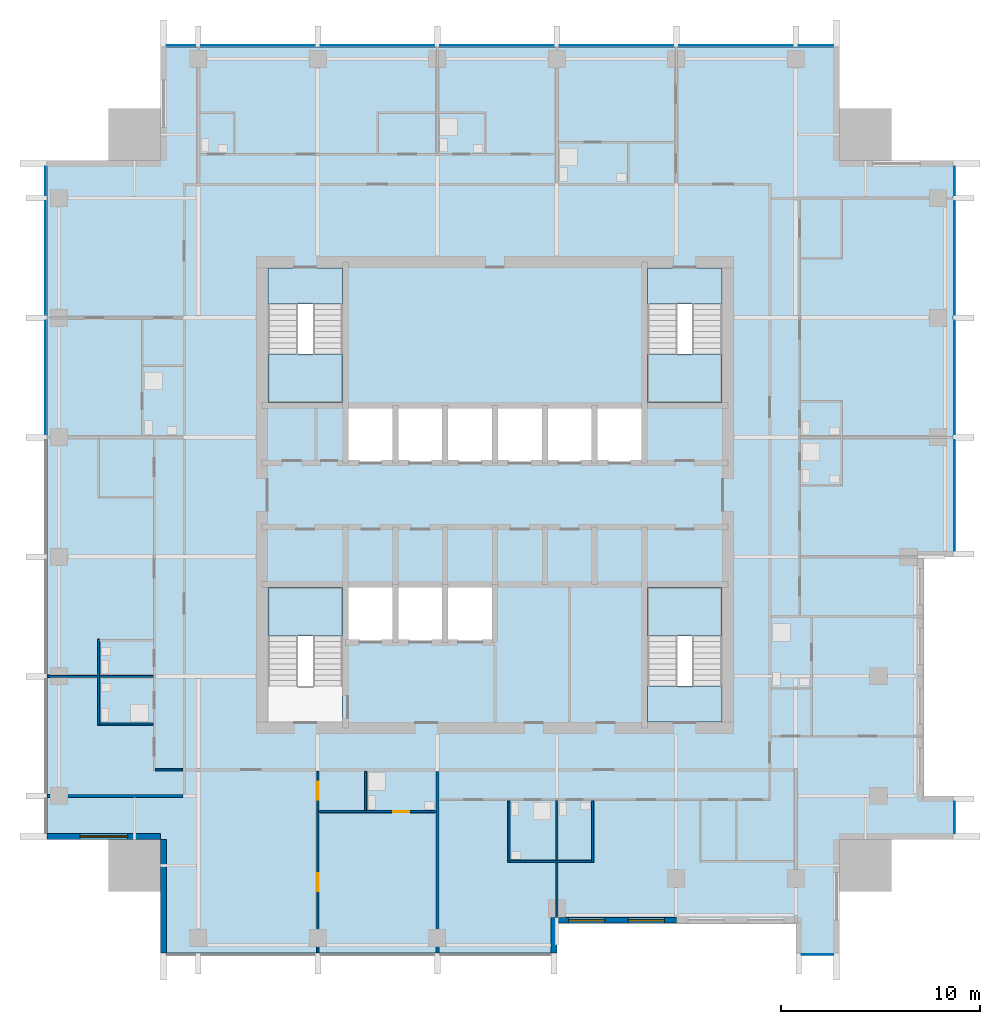
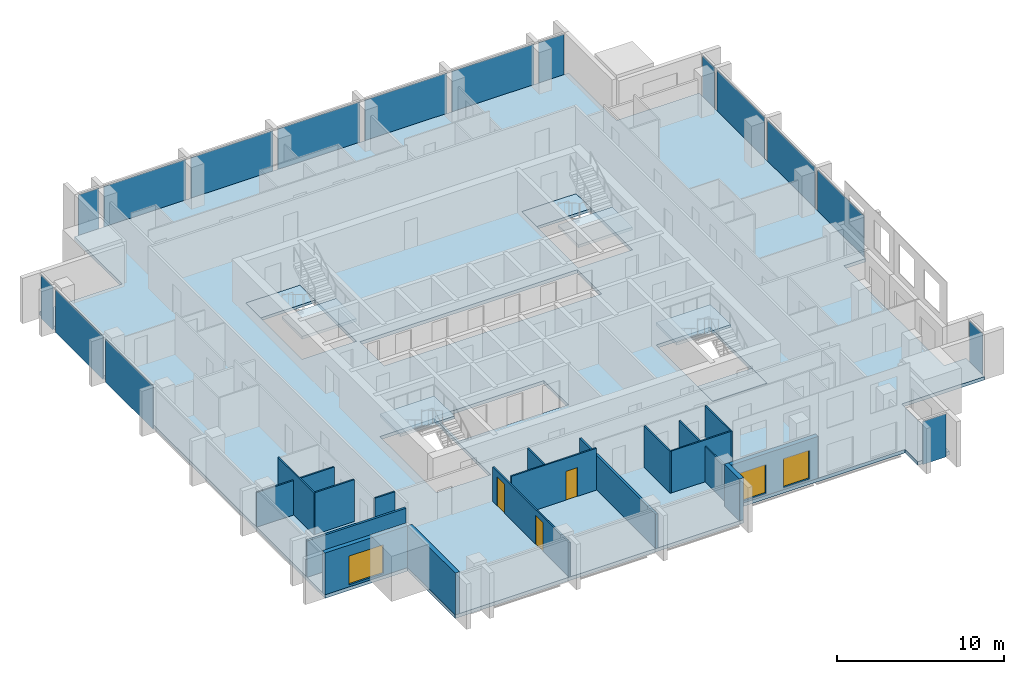
# One storey, part 3 of 11: 17 walls, 16 plates, 8 slabs, 3 doors, 3 windows, 6 openings, 9 elements without a shape of their own.
"""IFC4 building model written with IfcOpenShell, lengths in metres."""

from ifc_helpers import new_model, si_unit, direction, frame, frame_2d, origin, origin_2d, place, context, subcontext, project, spatial, polyline, rectangle, outline, extrude, material, layer, layer_set, type_object, element, fill, aggregate, save


model = new_model("IFC4")

# Units and contexts
model_context = context("Model", 3, precision=1e-05, world=origin(), true_north=direction((0.0, 1.0)))
body_context = subcontext(model_context, "Body", "Model", "MODEL_VIEW")
ifc_project = project(units=[si_unit("LENGTHUNIT", "METRE"), si_unit("AREAUNIT", "SQUARE_METRE"), si_unit("VOLUMEUNIT", "CUBIC_METRE"), si_unit("PLANEANGLEUNIT", "RADIAN"), si_unit("MASSUNIT", "GRAM", prefix="KILO")], contexts=[model_context])

# Site, building, storey
site_placement = place(None, origin())
site = spatial("IfcSite", under=ifc_project, at=site_placement, CompositionType="ELEMENT")
building_placement = place(site_placement, origin())
building = spatial("IfcBuilding", under=site, at=building_placement, Name="Amberfall Residences", CompositionType="ELEMENT")
storey_placement = place(building_placement, frame((0.0, 0.0, 223.300048828125)))
storey = spatial("IfcBuildingStorey", under=building, at=storey_placement, Name="L60", CompositionType="ELEMENT", Elevation=223.300048828125)

# Curtain wall, plate
ifc_material_1 = material(Name="Bronze anodised aluminium and glass", Category="aluminium")
curtain_wall_type = type_object("IfcCurtainWallType", Name="Curtain wall CW1 tower unit", PredefinedType="USERDEFINED", material=ifc_material_1)
curtain_wall_1_placement = place(storey_placement, origin())
curtain_wall_1 = element("IfcCurtainWall", 1, at=curtain_wall_1_placement, inside=storey, type_object=curtain_wall_type, Name="Curtain wall L60 S S6", ObjectType="UNITISED CURTAIN WALL", PredefinedType="USERDEFINED")
ifc_material_2 = material(Name="Tinted double glazed unit", Category="glass")
ifc_layer_1 = layer(ifc_material_2, 0.035888671875)
ifc_layer_set_1 = layer_set([ifc_layer_1], Name="CW1 panel 36 glazing")
plate_type = type_object("IfcPlateType", Name="CW1 panel 36 glazing", PredefinedType="CURTAIN_PANEL", material=ifc_layer_set_1)
plate_1_placement = place(storey_placement, frame((90.699951171875, 22.425048828125, -0.25), z_axis=(0.0, 0.0, 1.0), x_axis=(1.0, 0.0, 0.0)))
plate_1 = element("IfcPlate", 2, at=plate_1_placement, type_object=plate_type, Name="CW1 panel 1.1", PredefinedType="CURTAIN_PANEL", context=body_context, shape_type="SweptSolid", body=[
    extrude(rectangle(XDim=1.575927734375, YDim=0.035888671875, at=origin_2d()), origin(), (0.0, 0.0, 1.0), 3.14990234375),
])
aggregate(curtain_wall_1, [plate_1])

curtain_wall_2_placement = place(storey_placement, origin())
curtain_wall_2 = element("IfcCurtainWall", 3, at=curtain_wall_2_placement, inside=storey, type_object=curtain_wall_type, Name="Curtain wall L60 E E1", ObjectType="UNITISED CURTAIN WALL", PredefinedType="USERDEFINED")
plate_2_placement = place(storey_placement, frame((97.574951171875, 29.300048828125, -0.25), z_axis=(0.0, 0.0, 1.0), x_axis=(0.0, 1.0, 0.0)))
plate_2 = element("IfcPlate", 4, at=plate_2_placement, type_object=plate_type, Name="CW1 panel 1.1", PredefinedType="CURTAIN_PANEL", context=body_context, shape_type="SweptSolid", body=[
    extrude(rectangle(XDim=1.575927734375, YDim=0.035888671875, at=origin_2d()), origin(), (0.0, 0.0, 1.0), 3.14990234375),
])
aggregate(curtain_wall_2, [plate_2])

# Curtain wall, plates
curtain_wall_3_placement = place(storey_placement, origin())
curtain_wall_3 = element("IfcCurtainWall", 5, at=curtain_wall_3_placement, inside=storey, type_object=curtain_wall_type, Name="Curtain wall L60 E E6", ObjectType="UNITISED CURTAIN WALL", PredefinedType="USERDEFINED")
plate_3_placement = place(storey_placement, frame((97.574951171875, 45.47509765625, -0.25), z_axis=(0.0, 0.0, 1.0), x_axis=(0.0, 1.0, 0.0)))
plate_3 = element("IfcPlate", 6, at=plate_3_placement, type_object=plate_type, Name="CW1 panel 1.1", PredefinedType="CURTAIN_PANEL", context=body_context, shape_type="SweptSolid", body=[
    extrude(rectangle(XDim=5.52587890625, YDim=0.035888671875, at=origin_2d()), origin(), (0.0, 0.0, 1.0), 3.14990234375),
])
plate_4_placement = place(storey_placement, frame((97.574951171875, 51.39990234375, -0.25), z_axis=(0.0, 0.0, 1.0), x_axis=(0.0, 1.0, 0.0)))
plate_4 = element("IfcPlate", 7, at=plate_4_placement, type_object=plate_type, Name="CW1 panel 2.1", PredefinedType="CURTAIN_PANEL", context=body_context, shape_type="SweptSolid", body=[
    extrude(rectangle(XDim=5.676025390625, YDim=0.035888671875, at=origin_2d()), origin(), (0.0, 0.0, 1.0), 3.14990234375),
])
plate_5_placement = place(storey_placement, frame((97.574951171875, 57.39990234375, -0.25), z_axis=(0.0, 0.0, 1.0), x_axis=(0.0, 1.0, 0.0)))
plate_5 = element("IfcPlate", 8, at=plate_5_placement, type_object=plate_type, Name="CW1 panel 3.1", PredefinedType="CURTAIN_PANEL", context=body_context, shape_type="SweptSolid", body=[
    extrude(rectangle(XDim=5.676025390625, YDim=0.035888671875, at=origin_2d()), origin(), (0.0, 0.0, 1.0), 3.14990234375),
])
plate_6_placement = place(storey_placement, frame((97.574951171875, 61.27490234375, -0.25), z_axis=(0.0, 0.0, 1.0), x_axis=(0.0, 1.0, 0.0)))
plate_6 = element("IfcPlate", 9, at=plate_6_placement, type_object=plate_type, Name="CW1 panel 4.1", PredefinedType="CURTAIN_PANEL", context=body_context, shape_type="SweptSolid", body=[
    extrude(rectangle(XDim=1.426025390625, YDim=0.035888671875, at=origin_2d()), origin(), (0.0, 0.0, 1.0), 3.14990234375),
])
aggregate(curtain_wall_3, [plate_3, plate_4, plate_5, plate_6])

curtain_wall_4_placement = place(storey_placement, origin())
curtain_wall_4 = element("IfcCurtainWall", 10, at=curtain_wall_4_placement, inside=storey, type_object=curtain_wall_type, Name="Curtain wall L60 N N1", ObjectType="UNITISED CURTAIN WALL", PredefinedType="USERDEFINED")
plate_7_placement = place(storey_placement, frame((90.625, 68.074951171875, -0.25), z_axis=(0.0, 0.0, 1.0), x_axis=(-1.0, 0.0, 0.0)))
plate_7 = element("IfcPlate", 11, at=plate_7_placement, type_object=plate_type, Name="CW1 panel 1.1", PredefinedType="CURTAIN_PANEL", context=body_context, shape_type="SweptSolid", body=[
    extrude(rectangle(XDim=1.72607421875, YDim=0.035888671875, at=origin_2d()), origin(), (0.0, 0.0, 1.0), 3.14990234375),
])
plate_8_placement = place(storey_placement, frame((86.60009765625, 68.074951171875, -0.25), z_axis=(0.0, 0.0, 1.0), x_axis=(-1.0, 0.0, 0.0)))
plate_8 = element("IfcPlate", 12, at=plate_8_placement, type_object=plate_type, Name="CW1 panel 2.1", PredefinedType="CURTAIN_PANEL", context=body_context, shape_type="SweptSolid", body=[
    extrude(rectangle(XDim=5.676025390625, YDim=0.035888671875, at=origin_2d()), origin(), (0.0, 0.0, 1.0), 3.14990234375),
])
plate_9_placement = place(storey_placement, frame((80.60009765625, 68.074951171875, -0.25), z_axis=(0.0, 0.0, 1.0), x_axis=(-1.0, 0.0, 0.0)))
plate_9 = element("IfcPlate", 13, at=plate_9_placement, type_object=plate_type, Name="CW1 panel 3.1", PredefinedType="CURTAIN_PANEL", context=body_context, shape_type="SweptSolid", body=[
    extrude(rectangle(XDim=5.676025390625, YDim=0.035888671875, at=origin_2d()), origin(), (0.0, 0.0, 1.0), 3.14990234375),
])
plate_10_placement = place(storey_placement, frame((74.60009765625, 68.074951171875, -0.25), z_axis=(0.0, 0.0, 1.0), x_axis=(-1.0, 0.0, 0.0)))
plate_10 = element("IfcPlate", 14, at=plate_10_placement, type_object=plate_type, Name="CW1 panel 4.1", PredefinedType="CURTAIN_PANEL", context=body_context, shape_type="SweptSolid", body=[
    extrude(rectangle(XDim=5.676025390625, YDim=0.035888671875, at=origin_2d()), origin(), (0.0, 0.0, 1.0), 3.14990234375),
])
plate_11_placement = place(storey_placement, frame((68.60009765625, 68.074951171875, -0.25), z_axis=(0.0, 0.0, 1.0), x_axis=(-1.0, 0.0, 0.0)))
plate_11 = element("IfcPlate", 15, at=plate_11_placement, type_object=plate_type, Name="CW1 panel 5.1", PredefinedType="CURTAIN_PANEL", context=body_context, shape_type="SweptSolid", body=[
    extrude(rectangle(XDim=5.676025390625, YDim=0.035888671875, at=origin_2d()), origin(), (0.0, 0.0, 1.0), 3.14990234375),
])
plate_12_placement = place(storey_placement, frame((62.60009765625, 68.074951171875, -0.25), z_axis=(0.0, 0.0, 1.0), x_axis=(-1.0, 0.0, 0.0)))
plate_12 = element("IfcPlate", 16, at=plate_12_placement, type_object=plate_type, Name="CW1 panel 6.1", PredefinedType="CURTAIN_PANEL", context=body_context, shape_type="SweptSolid", body=[
    extrude(rectangle(XDim=5.676025390625, YDim=0.035888671875, at=origin_2d()), origin(), (0.0, 0.0, 1.0), 3.14990234375),
])
plate_13_placement = place(storey_placement, frame((58.72509765625, 68.074951171875, -0.25), z_axis=(0.0, 0.0, 1.0), x_axis=(-1.0, 0.0, 0.0)))
plate_13 = element("IfcPlate", 17, at=plate_13_placement, type_object=plate_type, Name="CW1 panel 7.1", PredefinedType="CURTAIN_PANEL", context=body_context, shape_type="SweptSolid", body=[
    extrude(rectangle(XDim=1.426025390625, YDim=0.035888671875, at=origin_2d()), origin(), (0.0, 0.0, 1.0), 3.14990234375),
])
aggregate(curtain_wall_4, [plate_7, plate_8, plate_9, plate_10, plate_11, plate_12, plate_13])

curtain_wall_5_placement = place(storey_placement, origin())
curtain_wall_5 = element("IfcCurtainWall", 18, at=curtain_wall_5_placement, inside=storey, type_object=curtain_wall_type, Name="Curtain wall L60 W W1", ObjectType="UNITISED CURTAIN WALL", PredefinedType="USERDEFINED")
plate_14_placement = place(storey_placement, frame((51.925048828125, 61.27490234375, -0.25), z_axis=(0.0, 0.0, 1.0), x_axis=(0.0, -1.0, 0.0)))
plate_14 = element("IfcPlate", 19, at=plate_14_placement, type_object=plate_type, Name="CW1 panel 1.1", PredefinedType="CURTAIN_PANEL", context=body_context, shape_type="SweptSolid", body=[
    extrude(rectangle(XDim=1.426025390625, YDim=0.035888671875, at=origin_2d()), origin(), (0.0, 0.0, 1.0), 3.14990234375),
])
plate_15_placement = place(storey_placement, frame((51.925048828125, 57.39990234375, -0.25), z_axis=(0.0, 0.0, 1.0), x_axis=(0.0, -1.0, 0.0)))
plate_15 = element("IfcPlate", 20, at=plate_15_placement, type_object=plate_type, Name="CW1 panel 2.1", PredefinedType="CURTAIN_PANEL", context=body_context, shape_type="SweptSolid", body=[
    extrude(rectangle(XDim=5.676025390625, YDim=0.035888671875, at=origin_2d()), origin(), (0.0, 0.0, 1.0), 3.14990234375),
])
plate_16_placement = place(storey_placement, frame((51.925048828125, 51.39990234375, -0.25), z_axis=(0.0, 0.0, 1.0), x_axis=(0.0, -1.0, 0.0)))
plate_16 = element("IfcPlate", 21, at=plate_16_placement, type_object=plate_type, Name="CW1 panel 3.1", PredefinedType="CURTAIN_PANEL", context=body_context, shape_type="SweptSolid", body=[
    extrude(rectangle(XDim=5.676025390625, YDim=0.035888671875, at=origin_2d()), origin(), (0.0, 0.0, 1.0), 3.14990234375),
])
aggregate(curtain_wall_5, [plate_14, plate_15, plate_16])

# Slab
ifc_material_3 = material(Name="Concrete C55", Category="concrete")
ifc_layer_2 = layer(ifc_material_3, 0.25)
ifc_layer_set_2 = layer_set([ifc_layer_2], Name="Floor slab 250 C55")
slab_type_1 = type_object("IfcSlabType", Name="Floor slab 250 C55", PredefinedType="FLOOR", material=ifc_layer_set_2)
slab_1_placement = place(storey_placement, frame((0.0, 0.0, -0.25)))
element("IfcSlab", 22, at=slab_1_placement, inside=storey, type_object=slab_type_1, Name="Floor slab S16 L60", PredefinedType="FLOOR", context=body_context, shape_type="SweptSolid", body=[
    extrude(outline(polyline([(89.60009765625, 22.5), (89.60009765625, 24.0), (83.60009765625, 24.0), (77.60009765625, 24.0), (77.60009765625, 22.5), (57.699951171875, 22.5), (57.699951171875, 28.199951171875), (52.0, 28.199951171875), (52.0, 62.300048828125), (57.699951171875, 62.300048828125), (57.699951171875, 68.0), (91.800048828125, 68.0), (91.800048828125, 62.300048828125), (97.5, 62.300048828125), (97.5, 42.39990234375), (96.0, 42.39990234375), (96.0, 36.39990234375), (96.0, 30.39990234375), (97.5, 30.39990234375), (97.5, 28.199951171875), (91.800048828125, 28.199951171875), (91.800048828125, 22.5), (89.60009765625, 22.5)]), holes=[polyline([(85.89990234375, 34.10009765625), (85.89990234375, 40.85009765625), (82.14990234375, 40.85009765625), (82.14990234375, 34.10009765625), (85.89990234375, 34.10009765625)]), polyline([(85.89990234375, 50.14990234375), (85.89990234375, 56.89990234375), (82.14990234375, 56.89990234375), (82.14990234375, 50.14990234375), (85.89990234375, 50.14990234375)]), polyline([(67.0, 50.0), (67.0, 47.10009765625), (69.5, 47.10009765625), (72.0, 47.10009765625), (74.5, 47.10009765625), (77.0, 47.10009765625), (79.5, 47.10009765625), (82.0, 47.10009765625), (82.0, 50.0), (79.5, 50.0), (77.0, 50.0), (74.5, 50.0), (72.0, 50.0), (69.5, 50.0), (67.0, 50.0)]), polyline([(69.5, 41.0), (67.0, 41.0), (67.0, 38.10009765625), (69.5, 38.10009765625), (72.0, 38.10009765625), (74.5, 38.10009765625), (74.5, 41.0), (72.0, 41.0), (69.5, 41.0)]), polyline([(66.85009765625, 40.85009765625), (63.10009765625, 40.85009765625), (63.10009765625, 34.10009765625), (66.85009765625, 34.10009765625), (66.85009765625, 40.85009765625)]), polyline([(66.85009765625, 56.89990234375), (63.10009765625, 56.89990234375), (63.10009765625, 50.14990234375), (66.85009765625, 50.14990234375), (66.85009765625, 56.89990234375)])]), origin(), (0.0, 0.0, 1.0), 0.25),
])

# Stair, slab
ifc_material_4 = material(Name="Concrete C40", Category="concrete")
stair_type = type_object("IfcStairType", Name="Exit stair 20 risers 165.0 mm", PredefinedType="HALF_TURN_STAIR", material=ifc_material_4)
stair_1_placement = place(storey_placement, origin())
stair_1 = element("IfcStair", 23, at=stair_1_placement, inside=storey, type_object=stair_type, Name="L60 Exit stair 1", PredefinedType="HALF_TURN_STAIR")
ifc_layer_3 = layer(ifc_material_4, 0.199951171875)
ifc_layer_set_3 = layer_set([ifc_layer_3], Name="Stair landing 200")
slab_type_2 = type_object("IfcSlabType", Name="Stair landing 200", PredefinedType="LANDING", material=ifc_layer_set_3)
slab_2_placement = place(storey_placement, frame((0.0, 0.0, 1.449951171875)))
slab_2 = element("IfcSlab", 24, at=slab_2_placement, type_object=slab_type_2, Name="ST3 landing 1", PredefinedType="LANDING", context=body_context, shape_type="SweptSolid", body=[
    extrude(outline(polyline([(66.85009765625, 38.419921875), (66.85009765625, 40.85009765625), (63.10009765625, 40.85009765625), (63.10009765625, 38.419921875), (66.85009765625, 38.419921875)])), origin(), (0.0, 0.0, 1.0), 0.199951171875),
])
aggregate(stair_1, [slab_2])

# Stair, slabs
stair_2_placement = place(storey_placement, origin())
stair_2 = element("IfcStair", 25, at=stair_2_placement, inside=storey, type_object=stair_type, Name="L60 Exit stair 2", PredefinedType="HALF_TURN_STAIR")
slab_3_placement = place(storey_placement, frame((0.0, 0.0, 1.449951171875)))
slab_3 = element("IfcSlab", 26, at=slab_3_placement, type_object=slab_type_2, Name="ST3 landing 1", PredefinedType="LANDING", context=body_context, shape_type="SweptSolid", body=[
    extrude(outline(polyline([(85.89990234375, 38.419921875), (85.89990234375, 40.85009765625), (82.14990234375, 40.85009765625), (82.14990234375, 38.419921875), (85.89990234375, 38.419921875)])), origin(), (0.0, 0.0, 1.0), 0.199951171875),
])
slab_4_placement = place(storey_placement, frame((0.0, 0.0, -0.199951171875)))
slab_4 = element("IfcSlab", 27, at=slab_4_placement, type_object=slab_type_2, Name="ST3 landing 2", PredefinedType="LANDING", context=body_context, shape_type="SweptSolid", body=[
    extrude(outline(polyline([(85.89990234375, 34.10009765625), (85.89990234375, 35.89990234375), (82.14990234375, 35.89990234375), (82.14990234375, 34.10009765625), (85.89990234375, 34.10009765625)])), origin(), (0.0, 0.0, 1.0), 0.199951171875),
])
aggregate(stair_2, [slab_3, slab_4])

stair_3_placement = place(storey_placement, origin())
stair_3 = element("IfcStair", 28, at=stair_3_placement, inside=storey, type_object=stair_type, Name="L60 Exit stair 3", PredefinedType="HALF_TURN_STAIR")
slab_5_placement = place(storey_placement, frame((0.0, 0.0, 1.449951171875)))
slab_5 = element("IfcSlab", 29, at=slab_5_placement, type_object=slab_type_2, Name="ST3 landing 1", PredefinedType="LANDING", context=body_context, shape_type="SweptSolid", body=[
    extrude(outline(polyline([(82.14990234375, 52.580078125), (82.14990234375, 50.14990234375), (85.89990234375, 50.14990234375), (85.89990234375, 52.580078125), (82.14990234375, 52.580078125)])), origin(), (0.0, 0.0, 1.0), 0.199951171875),
])
slab_6_placement = place(storey_placement, frame((0.0, 0.0, -0.199951171875)))
slab_6 = element("IfcSlab", 30, at=slab_6_placement, type_object=slab_type_2, Name="ST3 landing 2", PredefinedType="LANDING", context=body_context, shape_type="SweptSolid", body=[
    extrude(outline(polyline([(82.14990234375, 56.89990234375), (82.14990234375, 55.10009765625), (85.89990234375, 55.10009765625), (85.89990234375, 56.89990234375), (82.14990234375, 56.89990234375)])), origin(), (0.0, 0.0, 1.0), 0.199951171875),
])
aggregate(stair_3, [slab_5, slab_6])

stair_4_placement = place(storey_placement, origin())
stair_4 = element("IfcStair", 31, at=stair_4_placement, inside=storey, type_object=stair_type, Name="L60 Exit stair 4", PredefinedType="HALF_TURN_STAIR")
slab_7_placement = place(storey_placement, frame((0.0, 0.0, 1.449951171875)))
slab_7 = element("IfcSlab", 32, at=slab_7_placement, type_object=slab_type_2, Name="ST3 landing 1", PredefinedType="LANDING", context=body_context, shape_type="SweptSolid", body=[
    extrude(outline(polyline([(63.10009765625, 52.580078125), (63.10009765625, 50.14990234375), (66.85009765625, 50.14990234375), (66.85009765625, 52.580078125), (63.10009765625, 52.580078125)])), origin(), (0.0, 0.0, 1.0), 0.199951171875),
])
slab_8_placement = place(storey_placement, frame((0.0, 0.0, -0.199951171875)))
slab_8 = element("IfcSlab", 33, at=slab_8_placement, type_object=slab_type_2, Name="ST3 landing 2", PredefinedType="LANDING", context=body_context, shape_type="SweptSolid", body=[
    extrude(outline(polyline([(63.10009765625, 56.89990234375), (63.10009765625, 55.10009765625), (66.85009765625, 55.10009765625), (66.85009765625, 56.89990234375), (63.10009765625, 56.89990234375)])), origin(), (0.0, 0.0, 1.0), 0.199951171875),
])
aggregate(stair_4, [slab_7, slab_8])

# Wall
ifc_material_5 = material(Name="Pale stone cladding on insulated backing", Category="masonry")
ifc_layer_4 = layer(ifc_material_5, 0.300048828125)
ifc_layer_set_4 = layer_set([ifc_layer_4], Name="Bronze clad wall 300")
wall_type_1 = type_object("IfcWallType", Name="Bronze clad wall 300", PredefinedType="SOLIDWALL", material=ifc_layer_set_4)
wall_1_placement = place(storey_placement, frame((77.449951171875, 22.5, 0.0), z_axis=(0.0, 0.0, 1.0), x_axis=(0.0, 1.0, 0.0)))
element("IfcWall", 34, at=wall_1_placement, inside=storey, type_object=wall_type_1, Name="External wall L60 S", PredefinedType="SOLIDWALL", context=body_context, shape_type="SweptSolid", body=[
    extrude(rectangle(XDim=1.800048828125, YDim=0.300048828125, at=frame_2d((0.89990234375, 0.0))), origin(), (0.0, 0.0, 1.0), 3.050048828125),
])

# Wall, opening, window
wall_2_placement = place(storey_placement, frame((52.0, 28.35009765625, 0.0), z_axis=(0.0, 0.0, 1.0), x_axis=(1.0, 0.0, 0.0)))
wall_2 = element("IfcWall", 35, at=wall_2_placement, inside=storey, type_object=wall_type_1, Name="External wall L60 SW", PredefinedType="SOLIDWALL", context=body_context, shape_type="SweptSolid", body=[
    extrude(rectangle(XDim=5.699951171875, YDim=0.300048828125, at=frame_2d((2.85009765625, 0.0))), origin(), (0.0, 0.0, 1.0), 3.050048828125),
])
opening_1_placement = place(wall_2_placement, frame((1.64990234375, 0.0, 0.14990234375)))
opening_1 = element("IfcOpeningElement", 36, at=opening_1_placement, cuts=wall_2, Name="Opening WN5", PredefinedType="OPENING", context=body_context, shape_type="SweptSolid", body=[
    extrude(rectangle(XDim=2.39990234375, YDim=2.10009765625, at=frame_2d((1.199951171875, 1.050048828125))), frame((0.0, 0.159912109375, 0.0), z_axis=(0.0, -1.0, 0.0), x_axis=(1.0, 0.0, 0.0)), (0.0, 0.0, 1.0), 0.320068359375),
])
ifc_material_6 = material(Name="Bronze aluminium framed glazing", Category="aluminium")
window_type_1 = type_object("IfcWindowType", Name="Glazed opening 2400 x 2100 bronze", PartitioningType="DOUBLE_PANEL_VERTICAL", PredefinedType="WINDOW", material=ifc_material_6)
window_1_placement = place(opening_1_placement, origin())
window_1 = element("IfcWindow", 37, at=window_1_placement, inside=storey, type_object=window_type_1, Name="Window L60 SW", OverallHeight=2.10009765625, OverallWidth=2.39990234375, PartitioningType="DOUBLE_PANEL_VERTICAL", PredefinedType="WINDOW", context=body_context, shape_type="SweptSolid", body=[
    extrude(rectangle(XDim=2.39990234375, YDim=2.10009765625, at=frame_2d((1.199951171875, 1.050048828125))), frame((0.0, 0.030029296875, 0.0), z_axis=(0.0, -1.0, 0.0), x_axis=(1.0, 0.0, 0.0)), (0.0, 0.0, 1.0), 0.06005859375),
])
fill(opening_1, window_1)

# Wall
wall_3_placement = place(storey_placement, frame((57.85009765625, 28.199951171875, 0.0), z_axis=(0.0, 0.0, 1.0), x_axis=(0.0, -1.0, 0.0)))
element("IfcWall", 38, at=wall_3_placement, inside=storey, type_object=wall_type_1, Name="External wall L60 SW", PredefinedType="SOLIDWALL", context=body_context, shape_type="SweptSolid", body=[
    extrude(rectangle(XDim=5.699951171875, YDim=0.300048828125, at=frame_2d((2.85009765625, 0.0))), origin(), (0.0, 0.0, 1.0), 3.050048828125),
])

# Wall, openings, windows
wall_4_placement = place(storey_placement, frame((77.60009765625, 24.14990234375, 0.0), z_axis=(0.0, 0.0, 1.0), x_axis=(1.0, 0.0, 0.0)))
wall_4 = element("IfcWall", 39, at=wall_4_placement, inside=storey, type_object=wall_type_1, Name="Stone wall L60 S", PredefinedType="SOLIDWALL", context=body_context, shape_type="SweptSolid", body=[
    extrude(rectangle(XDim=6.0, YDim=0.300048828125, at=frame_2d((3.0, 0.0))), origin(), (0.0, 0.0, 1.0), 3.050048828125),
])
opening_2_placement = place(wall_4_placement, frame((0.60009765625, 0.0, 0.14990234375)))
opening_2 = element("IfcOpeningElement", 40, at=opening_2_placement, cuts=wall_4, Name="Opening WN6", PredefinedType="OPENING", context=body_context, shape_type="SweptSolid", body=[
    extrude(rectangle(XDim=1.800048828125, YDim=2.10009765625, at=frame_2d((0.89990234375, 1.050048828125))), frame((0.0, 0.159912109375, 0.0), z_axis=(0.0, -1.0, 0.0), x_axis=(1.0, 0.0, 0.0)), (0.0, 0.0, 1.0), 0.320068359375),
])
opening_3_placement = place(wall_4_placement, frame((3.60009765625, 0.0, 0.14990234375)))
opening_3 = element("IfcOpeningElement", 41, at=opening_3_placement, cuts=wall_4, Name="Opening WN6", PredefinedType="OPENING", context=body_context, shape_type="SweptSolid", body=[
    extrude(rectangle(XDim=1.800048828125, YDim=2.10009765625, at=frame_2d((0.89990234375, 1.050048828125))), frame((0.0, 0.159912109375, 0.0), z_axis=(0.0, -1.0, 0.0), x_axis=(1.0, 0.0, 0.0)), (0.0, 0.0, 1.0), 0.320068359375),
])
window_type_2 = type_object("IfcWindowType", Name="Glazed opening 1800 x 2100 bronze", PartitioningType="DOUBLE_PANEL_VERTICAL", PredefinedType="WINDOW", material=ifc_material_6)
window_2_placement = place(opening_2_placement, origin())
window_2 = element("IfcWindow", 42, at=window_2_placement, inside=storey, type_object=window_type_2, Name="Window L60 S", OverallHeight=2.10009765625, OverallWidth=1.800048828125, PartitioningType="DOUBLE_PANEL_VERTICAL", PredefinedType="WINDOW", context=body_context, shape_type="SweptSolid", body=[
    extrude(rectangle(XDim=1.800048828125, YDim=2.10009765625, at=frame_2d((0.89990234375, 1.050048828125))), frame((0.0, 0.030029296875, 0.0), z_axis=(0.0, -1.0, 0.0), x_axis=(1.0, 0.0, 0.0)), (0.0, 0.0, 1.0), 0.06005859375),
])
fill(opening_2, window_2)
window_3_placement = place(opening_3_placement, origin())
window_3 = element("IfcWindow", 43, at=window_3_placement, inside=storey, type_object=window_type_2, Name="Window L60 S", OverallHeight=2.10009765625, OverallWidth=1.800048828125, PartitioningType="DOUBLE_PANEL_VERTICAL", PredefinedType="WINDOW", context=body_context, shape_type="SweptSolid", body=[
    extrude(rectangle(XDim=1.800048828125, YDim=2.10009765625, at=frame_2d((0.89990234375, 1.050048828125))), frame((0.0, 0.030029296875, 0.0), z_axis=(0.0, -1.0, 0.0), x_axis=(1.0, 0.0, 0.0)), (0.0, 0.0, 1.0), 0.06005859375),
])
fill(opening_3, window_3)

# Wall
ifc_material_7 = material(Name="Gypsum board on metal stud")
ifc_layer_5 = layer(ifc_material_7, 0.10009765625)
ifc_layer_set_5 = layer_set([ifc_layer_5], Name="Flat partition 100")
wall_type_2 = type_object("IfcWallType", Name="Flat partition 100", PredefinedType="PARTITIONING", material=ifc_layer_set_5)
wall_5_placement = place(storey_placement, frame((54.60009765625, 33.949951171875, 0.0), z_axis=(0.0, 0.0, 1.0), x_axis=(0.0, 1.0, 0.0)))
element("IfcWall", 44, at=wall_5_placement, inside=storey, type_object=wall_type_2, Name="Partition 001", PredefinedType="PARTITIONING", context=body_context, shape_type="SweptSolid", body=[
    extrude(rectangle(XDim=4.300048828125, YDim=0.10009765625, at=frame_2d((2.14990234375, 0.0))), origin(), (0.0, 0.0, 1.0), 3.050048828125),
])

# Wall, openings, doors
wall_6_placement = place(storey_placement, frame((65.60009765625, 31.625, 0.0), z_axis=(0.0, 0.0, 1.0), x_axis=(0.0, -1.0, 0.0)))
wall_6 = element("IfcWall", 45, at=wall_6_placement, inside=storey, type_object=wall_type_2, Name="Partition 006", PredefinedType="PARTITIONING", context=body_context, shape_type="SweptSolid", body=[
    extrude(rectangle(XDim=9.125, YDim=0.10009765625, at=frame_2d((4.5625, 0.0))), origin(), (0.0, 0.0, 1.0), 2.515869140625),
])
opening_4_placement = place(wall_6_placement, frame((0.52490234375, 0.0, 0.0)))
opening_4 = element("IfcOpeningElement", 46, at=opening_4_placement, cuts=wall_6, Name="Opening D41", PredefinedType="OPENING", context=body_context, shape_type="SweptSolid", body=[
    extrude(rectangle(XDim=0.89990234375, YDim=2.10009765625, at=frame_2d((0.449951171875, 1.050048828125))), frame((0.0, 0.06005859375, 0.0), z_axis=(0.0, -1.0, 0.0), x_axis=(1.0, 0.0, 0.0)), (0.0, 0.0, 1.0), 0.1201171875),
])
opening_5_placement = place(wall_6_placement, frame((5.125, 0.0, 0.0)))
opening_5 = element("IfcOpeningElement", 47, at=opening_5_placement, cuts=wall_6, Name="Opening D41", PredefinedType="OPENING", context=body_context, shape_type="SweptSolid", body=[
    extrude(rectangle(XDim=0.89990234375, YDim=2.10009765625, at=frame_2d((0.449951171875, 1.050048828125))), frame((0.0, 0.06005859375, 0.0), z_axis=(0.0, -1.0, 0.0), x_axis=(1.0, 0.0, 0.0)), (0.0, 0.0, 1.0), 0.1201171875),
])
ifc_material_8 = material(Name="Timber", Category="wood")
door_type_1 = type_object("IfcDoorType", Name="Internal door 900 x 2100", OperationType="SINGLE_SWING_LEFT", PredefinedType="DOOR", material=ifc_material_8)
door_1_placement = place(opening_4_placement, origin())
door_1 = element("IfcDoor", 48, at=door_1_placement, inside=storey, type_object=door_type_1, Name="Door 6001 kitchen", OperationType="SINGLE_SWING_LEFT", OverallHeight=2.10009765625, OverallWidth=0.89990234375, PredefinedType="DOOR", context=body_context, shape_type="SweptSolid", body=[
    extrude(rectangle(XDim=0.89990234375, YDim=2.10009765625, at=frame_2d((0.449951171875, 1.050048828125))), frame((0.0, 0.02490234375, 0.0), z_axis=(0.0, -1.0, 0.0), x_axis=(1.0, 0.0, 0.0)), (0.0, 0.0, 1.0), 0.050048828125),
])
fill(opening_4, door_1)
door_2_placement = place(opening_5_placement, origin())
door_2 = element("IfcDoor", 49, at=door_2_placement, inside=storey, type_object=door_type_1, Name="Door 6001 bedroom1", OperationType="SINGLE_SWING_LEFT", OverallHeight=2.10009765625, OverallWidth=0.89990234375, PredefinedType="DOOR", context=body_context, shape_type="SweptSolid", body=[
    extrude(rectangle(XDim=0.89990234375, YDim=2.10009765625, at=frame_2d((0.449951171875, 1.050048828125))), frame((0.0, 0.02490234375, 0.0), z_axis=(0.0, -1.0, 0.0), x_axis=(1.0, 0.0, 0.0)), (0.0, 0.0, 1.0), 0.050048828125),
])
fill(opening_5, door_2)

# Walls
wall_7_placement = place(storey_placement, frame((68.0, 29.64990234375, 0.0), z_axis=(0.0, 0.0, 1.0), x_axis=(0.0, 1.0, 0.0)))
element("IfcWall", 50, at=wall_7_placement, inside=storey, type_object=wall_type_2, Name="Partition 007", PredefinedType="PARTITIONING", context=body_context, shape_type="SweptSolid", body=[
    extrude(rectangle(XDim=1.97509765625, YDim=0.10009765625, at=frame_2d((0.987548828125, 0.0))), origin(), (0.0, 0.0, 1.0), 3.050048828125),
])
wall_8_placement = place(storey_placement, frame((75.199951171875, 27.050048828125, 0.0), z_axis=(0.0, 0.0, 1.0), x_axis=(0.0, 1.0, 0.0)))
element("IfcWall", 51, at=wall_8_placement, inside=storey, type_object=wall_type_2, Name="Partition 011", PredefinedType="PARTITIONING", context=body_context, shape_type="SweptSolid", body=[
    extrude(rectangle(XDim=3.099853515625, YDim=0.10009765625, at=frame_2d((1.5498046875, 0.0))), origin(), (0.0, 0.0, 1.0), 3.050048828125),
])
wall_9_placement = place(storey_placement, frame((77.60009765625, 24.0, 0.0), z_axis=(0.0, 0.0, 1.0), x_axis=(0.0, 1.0, 0.0)))
element("IfcWall", 52, at=wall_9_placement, inside=storey, type_object=wall_type_2, Name="Partition 012", PredefinedType="PARTITIONING", context=body_context, shape_type="SweptSolid", body=[
    extrude(rectangle(XDim=6.14990234375, YDim=0.10009765625, at=frame_2d((3.074951171875, 0.0))), origin(), (0.0, 0.0, 1.0), 2.58984375),
])
wall_10_placement = place(storey_placement, frame((79.39990234375, 27.050048828125, 0.0), z_axis=(0.0, 0.0, 1.0), x_axis=(0.0, 1.0, 0.0)))
element("IfcWall", 53, at=wall_10_placement, inside=storey, type_object=wall_type_2, Name="Partition 013", PredefinedType="PARTITIONING", context=body_context, shape_type="SweptSolid", body=[
    extrude(rectangle(XDim=3.099853515625, YDim=0.10009765625, at=frame_2d((1.5498046875, 0.0))), origin(), (0.0, 0.0, 1.0), 3.050048828125),
])
wall_11_placement = place(storey_placement, frame((52.0, 36.39990234375, 0.0), z_axis=(0.0, 0.0, 1.0), x_axis=(1.0, 0.0, 0.0)))
element("IfcWall", 54, at=wall_11_placement, inside=storey, type_object=wall_type_2, Name="Partition 036", PredefinedType="PARTITIONING", context=body_context, shape_type="SweptSolid", body=[
    extrude(rectangle(XDim=5.35009765625, YDim=0.10009765625, at=frame_2d((2.675048828125, 0.0))), origin(), (0.0, 0.0, 1.0), 2.515869140625),
])
wall_12_placement = place(storey_placement, frame((54.64990234375, 34.0, 0.0), z_axis=(0.0, 0.0, 1.0), x_axis=(1.0, 0.0, 0.0)))
element("IfcWall", 55, at=wall_12_placement, inside=storey, type_object=wall_type_2, Name="Partition 038", PredefinedType="PARTITIONING", context=body_context, shape_type="SweptSolid", body=[
    extrude(rectangle(XDim=2.7001953125, YDim=0.10009765625, at=frame_2d((1.35009765625, 0.0))), origin(), (0.0, 0.0, 1.0), 3.050048828125),
])
wall_13_placement = place(storey_placement, frame((57.449951171875, 31.699951171875, 0.0), z_axis=(0.0, 0.0, 1.0), x_axis=(1.0, 0.0, 0.0)))
element("IfcWall", 56, at=wall_13_placement, inside=storey, type_object=wall_type_2, Name="Partition 040", PredefinedType="PARTITIONING", context=body_context, shape_type="SweptSolid", body=[
    extrude(rectangle(XDim=1.375, YDim=0.10009765625, at=frame_2d((0.6875, 0.0))), origin(), (0.0, 0.0, 1.0), 3.050048828125),
])

# Wall, opening, door
wall_14_placement = place(storey_placement, frame((65.64990234375, 29.60009765625, 0.0), z_axis=(0.0, 0.0, 1.0), x_axis=(1.0, 0.0, 0.0)))
wall_14 = element("IfcWall", 57, at=wall_14_placement, inside=storey, type_object=wall_type_2, Name="Partition 042", PredefinedType="PARTITIONING", context=body_context, shape_type="SweptSolid", body=[
    extrude(rectangle(XDim=5.875, YDim=0.10009765625, at=frame_2d((2.9375, 0.0))), origin(), (0.0, 0.0, 1.0), 3.050048828125),
])
opening_6_placement = place(wall_14_placement, frame((3.75, 0.0, 0.0)))
opening_6 = element("IfcOpeningElement", 58, at=opening_6_placement, cuts=wall_14, Name="Opening D42", PredefinedType="OPENING", context=body_context, shape_type="SweptSolid", body=[
    extrude(rectangle(XDim=0.800048828125, YDim=2.10009765625, at=frame_2d((0.39990234375, 1.050048828125))), frame((0.0, 0.06005859375, 0.0), z_axis=(0.0, -1.0, 0.0), x_axis=(1.0, 0.0, 0.0)), (0.0, 0.0, 1.0), 0.1201171875),
])
door_type_2 = type_object("IfcDoorType", Name="Bathroom door 800 x 2100", OperationType="SINGLE_SWING_LEFT", PredefinedType="DOOR", material=ifc_material_8)
door_3_placement = place(opening_6_placement, origin())
door_3 = element("IfcDoor", 59, at=door_3_placement, inside=storey, type_object=door_type_2, Name="Door 6001 bath1", OperationType="SINGLE_SWING_LEFT", OverallHeight=2.10009765625, OverallWidth=0.800048828125, PredefinedType="DOOR", context=body_context, shape_type="SweptSolid", body=[
    extrude(rectangle(XDim=0.800048828125, YDim=2.10009765625, at=frame_2d((0.39990234375, 1.050048828125))), frame((0.0, 0.02490234375, 0.0), z_axis=(0.0, -1.0, 0.0), x_axis=(1.0, 0.0, 0.0)), (0.0, 0.0, 1.0), 0.050048828125),
])
fill(opening_6, door_3)

# Walls
wall_15_placement = place(storey_placement, frame((75.25, 27.10009765625, 0.0), z_axis=(0.0, 0.0, 1.0), x_axis=(1.0, 0.0, 0.0)))
element("IfcWall", 60, at=wall_15_placement, inside=storey, type_object=wall_type_2, Name="Partition 043", PredefinedType="PARTITIONING", context=body_context, shape_type="SweptSolid", body=[
    extrude(rectangle(XDim=4.10009765625, YDim=0.10009765625, at=frame_2d((2.050048828125, 0.0))), origin(), (0.0, 0.0, 1.0), 3.050048828125),
])
ifc_material_9 = material(Name="Blockwork, plastered", Category="masonry")
ifc_layer_6 = layer(ifc_material_9, 0.14990234375)
ifc_layer_set_6 = layer_set([ifc_layer_6], Name="Flat separating wall 150")
wall_type_3 = type_object("IfcWallType", Name="Flat separating wall 150", PredefinedType="PARTITIONING", material=ifc_layer_set_6)
wall_16_placement = place(storey_placement, frame((71.60009765625, 22.5, 0.0), z_axis=(0.0, 0.0, 1.0), x_axis=(0.0, 1.0, 0.0)))
element("IfcWall", 61, at=wall_16_placement, inside=storey, type_object=wall_type_3, Name="Separating wall 047", PredefinedType="PARTITIONING", context=body_context, shape_type="SweptSolid", body=[
    extrude(rectangle(XDim=9.125, YDim=0.14990234375, at=frame_2d((4.5625, 0.0))), origin(), (0.0, 0.0, 1.0), 2.515869140625),
])
wall_17_placement = place(storey_placement, frame((52.0, 30.39990234375, 0.0), z_axis=(0.0, 0.0, 1.0), x_axis=(1.0, 0.0, 0.0)))
element("IfcWall", 62, at=wall_17_placement, inside=storey, type_object=wall_type_3, Name="Separating wall 056", PredefinedType="PARTITIONING", context=body_context, shape_type="SweptSolid", body=[
    extrude(rectangle(XDim=6.824951171875, YDim=0.14990234375, at=frame_2d((3.41259765625, 0.0))), origin(), (0.0, 0.0, 1.0), 2.64697265625),
])

save(model, "model.ifc")
